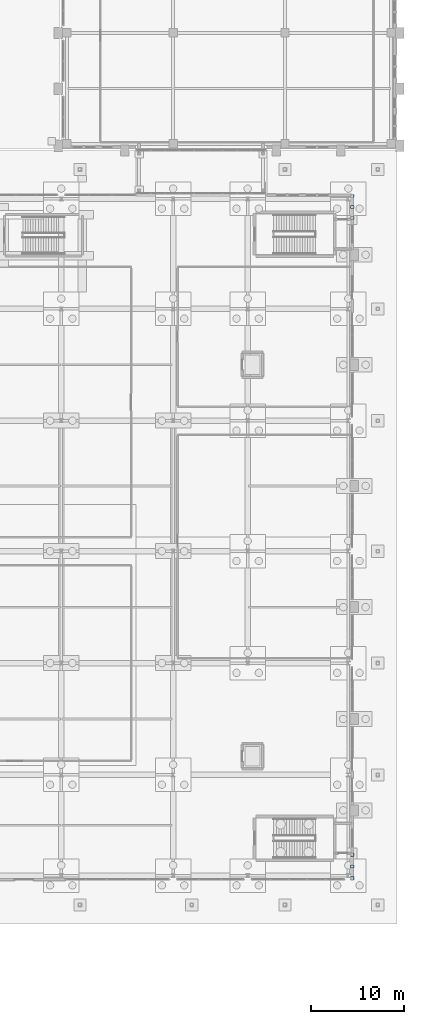
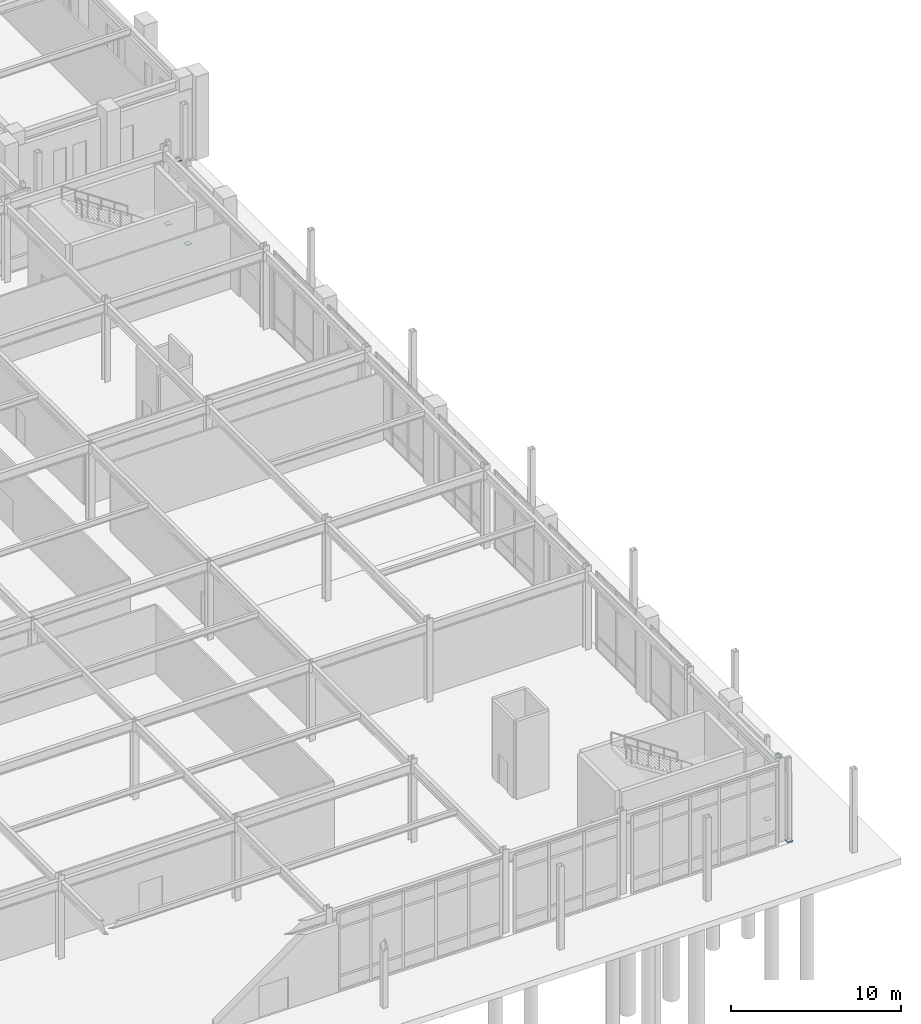
# One storey, part 101 of 143: 6 plates.
"""IFC4 building model written with IfcOpenShell, lengths in metres."""

import ifcopenshell
import ifcopenshell.guid

model = None  # the IFC model being written
_history = None  # IfcOwnerHistory: only IFC2X3 demands one
_inside = {}  # id of a spatial element -> (the spatial element, [elements in it])
_under = {}  # id of a project, library or spatial element -> (it, [spatial elements below it])
_declared = {}  # id of a project -> (the project, [libraries it declares])
_typed = {}  # id of a type object -> (the type object, [elements of that type])
_made_of = {}  # id of a material, layer set ... -> (it, [elements and type objects made of it])


def new_model(schema):
    """Start an empty IFC model of exactly this schema.

    Asked for "IFC4X3", IfcOpenShell would pick the latest addendum, in which some entities
    have other attributes; the version numbers below select the first issue.
    IFC2X3 requires an IfcOwnerHistory on every rooted entity: one is made here for all.
    """
    global model, _history
    if schema == "IFC4X3":
        model = ifcopenshell.file(schema_version=(4, 3, 0, 0))
    else:
        model = ifcopenshell.file(schema=schema)
    _inside.clear()
    _under.clear()
    _declared.clear()
    _typed.clear()
    _made_of.clear()
    _history = None
    if model.schema == "IFC2X3":
        org = make("IfcOrganization", Name="unknown")
        user = make(
            "IfcPersonAndOrganization",
            ThePerson=make("IfcPerson", FamilyName="unknown"),
            TheOrganization=org,
        )
        app = make(
            "IfcApplication",
            ApplicationDeveloper=org,
            Version="unknown",
            ApplicationFullName="unknown",
            ApplicationIdentifier="unknown",
        )
        _history = make(
            "IfcOwnerHistory",
            OwningUser=user,
            OwningApplication=app,
            ChangeAction="ADDED",
            CreationDate=0,
        )
    return model


def make(cls, **values):
    """One entity of the class cls with the attributes given. An attribute that is None is left unset."""
    return model.create_entity(
        cls, **{name: value for name, value in values.items() if value is not None}
    )


def rooted(cls, **values):
    """An entity with a GlobalId (a new one), such as an element, a storey or a relation."""
    return make(cls, GlobalId=ifcopenshell.guid.new(), OwnerHistory=_history, **values)


def si_unit(unit_type, name, prefix=None):
    """IfcSIUnit, for example si_unit("LENGTHUNIT", "METRE", prefix="MILLI")."""
    return make("IfcSIUnit", UnitType=unit_type, Prefix=prefix, Name=name)


def derived_unit(unit_type, elements):
    """IfcDerivedUnit: a product of units, each with its exponent."""
    return make(
        "IfcDerivedUnit",
        Elements=[
            make("IfcDerivedUnitElement", Unit=unit, Exponent=power)
            for unit, power in elements
        ],
        UnitType=unit_type,
    )


def assignment(units):
    """IfcUnitAssignment: the units of a project."""
    return None if units is None else make("IfcUnitAssignment", Units=units)


def point(xyz):
    """IfcCartesianPoint."""
    return None if xyz is None else make("IfcCartesianPoint", Coordinates=xyz)


def direction(xyz):
    """IfcDirection."""
    return None if xyz is None else make("IfcDirection", DirectionRatios=xyz)


def frame(location, z_axis=None, x_axis=None):
    """IfcAxis2Placement3D, a coordinate frame: its origin and axes. An axis left out is left unset."""
    return make(
        "IfcAxis2Placement3D",
        Location=point(location),
        Axis=direction(z_axis),
        RefDirection=direction(x_axis),
    )


def frame_2d(location, x_axis=None):
    """IfcAxis2Placement2D, a coordinate frame in the plane: its origin and x axis."""
    return make(
        "IfcAxis2Placement2D", Location=point(location), RefDirection=direction(x_axis)
    )


def origin():
    """The frame at (0, 0, 0) with its axes left unset."""
    return frame((0.0, 0.0, 0.0))


def origin_2d():
    """The frame at (0, 0) in the plane with its x axis left unset."""
    return frame_2d((0.0, 0.0))


def place(relative_to, where):
    """IfcLocalPlacement: puts the frame where relative to a parent placement (None: the world)."""
    return make(
        "IfcLocalPlacement", PlacementRelTo=relative_to, RelativePlacement=where
    )


def context(
    kind, dimensions, precision=None, world=None, true_north=None, identifier=None
):
    """IfcGeometricRepresentationContext, for example the 3D "Model" context."""
    return make(
        "IfcGeometricRepresentationContext",
        ContextIdentifier=identifier,
        ContextType=kind,
        CoordinateSpaceDimension=dimensions,
        Precision=precision,
        WorldCoordinateSystem=world,
        TrueNorth=true_north,
    )


def subcontext(parent, identifier, kind, view, scale=None):
    """IfcGeometricRepresentationSubContext, for example "Body" below "Model"."""
    return make(
        "IfcGeometricRepresentationSubContext",
        ContextIdentifier=identifier,
        ContextType=kind,
        ParentContext=parent,
        TargetScale=scale,
        TargetView=view,
    )


def project(units=None, contexts=None):
    """IfcProject with its units and contexts."""
    return rooted(
        "IfcProject",
        Name="project",
        RepresentationContexts=contexts,
        UnitsInContext=assignment(units),
    )


def spatial(cls, under=None, at=None, **own):
    """A site, building, storey or space (cls), placed at a placement, below another one or the project."""
    s = rooted(cls, ObjectPlacement=at, **own)
    if under is not None:
        _under.setdefault(under.id(), (under, []))[1].append(s)
    return s


def profile(cls, at=None, kind="AREA", **sizes):
    """A parametric profile (cls). Its sizes go by their IFC names, for example OverallWidth=200.0."""
    return make(cls, ProfileType=kind, Position=at, **sizes)


def rectangle(**sizes):
    """IfcRectangleProfileDef."""
    return profile("IfcRectangleProfileDef", **sizes)


def extrude(swept, where, along, depth):
    """IfcExtrudedAreaSolid: the profile swept, set in the frame where, extruded along a direction by depth."""
    return make(
        "IfcExtrudedAreaSolid",
        SweptArea=swept,
        Position=where,
        ExtrudedDirection=direction(along),
        Depth=depth,
    )


def shape(context_of_items, identifier, shape_type, items):
    """IfcShapeRepresentation: the items that make up one representation, for example the "Body"."""
    return make(
        "IfcShapeRepresentation",
        ContextOfItems=context_of_items,
        RepresentationIdentifier=identifier,
        RepresentationType=shape_type,
        Items=items,
    )


def material(Name=None, Category=None):
    """IfcMaterial."""
    return make("IfcMaterial", Name=Name, Category=Category)


def layer(
    of_material, thickness, ventilated=None, Name=None, Category=None, Priority=None
):
    """IfcMaterialLayer: one layer of a wall or slab, of a material (None: an air gap)."""
    return make(
        "IfcMaterialLayer",
        Material=of_material,
        LayerThickness=thickness,
        IsVentilated=ventilated,
        Name=Name,
        Category=Category,
        Priority=Priority,
    )


def layer_set(layers, Name=None):
    """IfcMaterialLayerSet."""
    return make("IfcMaterialLayerSet", MaterialLayers=layers, LayerSetName=Name)


def made_of(thing, what):
    """Note that an element or type object is made of a material, layer set ...; save() writes the relation."""
    if what is not None:
        _made_of.setdefault(what.id(), (what, []))[1].append(thing)
    return thing


def type_object(cls, material=None, **own):
    """A type object (cls), such as IfcWallType, which elements share."""
    return made_of(rooted(cls, **own), material)


def element(
    cls,
    number,
    at=None,
    inside=None,
    cuts=None,
    type_object=None,
    material=None,
    context=None,
    identifier="Body",
    shape_type=None,
    held_by="IfcProductDefinitionShape",
    body=None,
    shapes=None,
    **own,
):
    """One element of the class cls, such as IfcWall. Its Tag is "e" and its number.

    at: its placement. inside: the storey or other place that contains it. cuts: it is an
    opening in that element (IfcRelVoidsElement). A single representation is given by context,
    identifier, shape_type and body (its items); several are given by shapes. held_by: the class
    of the entity that holds the representations. save() writes the other relations.
    """
    e = rooted(cls, Tag="e%d" % number, ObjectPlacement=at, **own)
    if body is not None:
        shapes = [shape(context, identifier, shape_type, body)]
    if shapes is not None:
        e.Representation = make(held_by, Representations=shapes)
    if inside is not None:
        _inside.setdefault(inside.id(), (inside, []))[1].append(e)
    if cuts is not None:
        rooted(
            "IfcRelVoidsElement", RelatingBuildingElement=cuts, RelatedOpeningElement=e
        )
    if type_object is not None:
        _typed.setdefault(type_object.id(), (type_object, []))[1].append(e)
    return made_of(e, material)


def aggregate(whole, parts):
    """IfcRelAggregates: a whole, such as a stair, and the parts it consists of."""
    return rooted("IfcRelAggregates", RelatingObject=whole, RelatedObjects=parts)


def save(model, path):
    """Write the relations noted so far, then the file.

    IfcRelAggregates (storeys below a building ...), IfcRelContainedInSpatialStructure (elements
    in a storey), IfcRelDefinesByType, IfcRelAssociatesMaterial and IfcRelDeclares: one each for
    every whole, place, type object, material and project.
    """
    for whole, parts in _under.values():
        aggregate(whole, parts)
    for where, things in _inside.values():
        rooted(
            "IfcRelContainedInSpatialStructure",
            RelatedElements=things,
            RelatingStructure=where,
        )
    for kind, things in _typed.values():
        rooted("IfcRelDefinesByType", RelatedObjects=things, RelatingType=kind)
    for what, things in _made_of.values():
        rooted("IfcRelAssociatesMaterial", RelatedObjects=things, RelatingMaterial=what)
    for by, libraries in _declared.values():
        rooted("IfcRelDeclares", RelatingContext=by, RelatedDefinitions=libraries)
    model.write(path)


model = new_model("IFC4")

# Units and contexts
model_context = context("Model", 3, precision=1e-05, world=origin(), true_north=direction((0.0, 1.0)))
body_context = subcontext(model_context, "Body", "Model", "MODEL_VIEW")
ifc_project = project(units=[si_unit("LENGTHUNIT", "METRE"), si_unit("AREAUNIT", "SQUARE_METRE"), si_unit("VOLUMEUNIT", "CUBIC_METRE"), si_unit("PLANEANGLEUNIT", "RADIAN"), si_unit("MASSUNIT", "GRAM", prefix="KILO"), derived_unit("THERMALTRANSMITTANCEUNIT", [(si_unit("MASSUNIT", "GRAM", prefix="KILO"), 1), (si_unit("TIMEUNIT", "SECOND"), -3), (si_unit("THERMODYNAMICTEMPERATUREUNIT", "KELVIN"), -1)])], contexts=[model_context])

# Site, building, storey
site_placement = place(None, origin())
site = spatial("IfcSite", under=ifc_project, at=site_placement, CompositionType="ELEMENT")
building_placement = place(site_placement, origin())
building = spatial("IfcBuilding", under=site, at=building_placement, Name="Valcora Ridge Arena", CompositionType="ELEMENT")
storey_placement = place(building_placement, origin())
storey = spatial("IfcBuildingStorey", under=building, at=storey_placement, Name="L00", CompositionType="ELEMENT", Elevation=0.0)

# Plates
ifc_material = material(Name="Steel ASTM A572 Grade 50", Category="steel")
ifc_layer = layer(ifc_material, 0.02490234375, Name="Steel ASTM A572 Grade 50")
ifc_layer_set = layer_set([ifc_layer], Name="Steel ASTM A572 Grade 50")
plate_type = type_object("IfcPlateType", Name="TY-PLATE-PL-GUS-25", PredefinedType="USERDEFINED", material=ifc_layer_set)
for number, where, z_axis, x_axis, name in (
    (1, (187.199951171875, 4.89990234375, 0.0), (0.0, 0.0, 1.0), (1.0, 0.0, 0.0), "PL-GUS-25 BR-GP-0001"),
    (2, (187.199951171875, 7.449951171875, 0.0), (0.0, 0.0, 1.0), (1.0, 0.0, 0.0), "PL-GUS-25 BR-GP-0002"),
    (3, (187.199951171875, 6.175048828125, 5.300048828125), (0.0, 0.0, 1.0), (1.0, 0.0, 0.0), "PL-GUS-25 BR-GP-0003"),
    (4, (187.199951171875, 75.75, 0.0), (0.0, 0.0, 1.0), (1.0, 0.0, 0.0), "PL-GUS-25 BR-GP-0010"),
    (5, (187.199951171875, 78.10009765625, 0.0), (0.0, 0.0, 1.0), (1.0, 0.0, 0.0), "PL-GUS-25 BR-GP-0011"),
    (6, (187.199951171875, 76.925048828125, 5.300048828125), (0.0, 0.0, 1.0), (1.0, 0.0, 0.0), "PL-GUS-25 BR-GP-0012"),
):
    element("IfcPlate", number, at=place(storey_placement, frame(where, z_axis=z_axis, x_axis=x_axis)), inside=storey, type_object=plate_type, Name=name, ObjectType="GUSSET_PLATE", PredefinedType="USERDEFINED", context=body_context, shape_type="SweptSolid", body=[
        extrude(rectangle(XDim=0.360107421875, YDim=0.360107421875, at=origin_2d()), origin(), (0.0, 0.0, 1.0), 0.02490234375),
    ])

save(model, "model.ifc")
